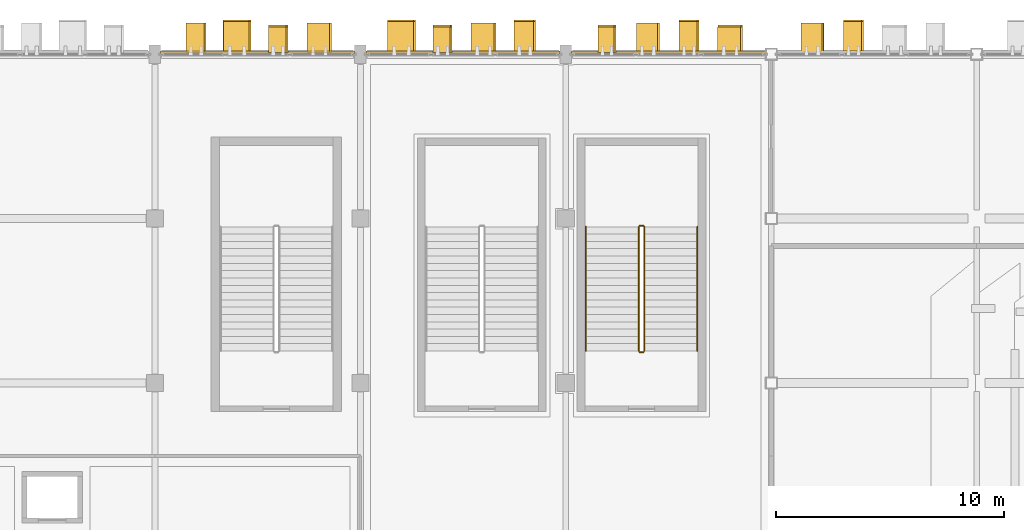
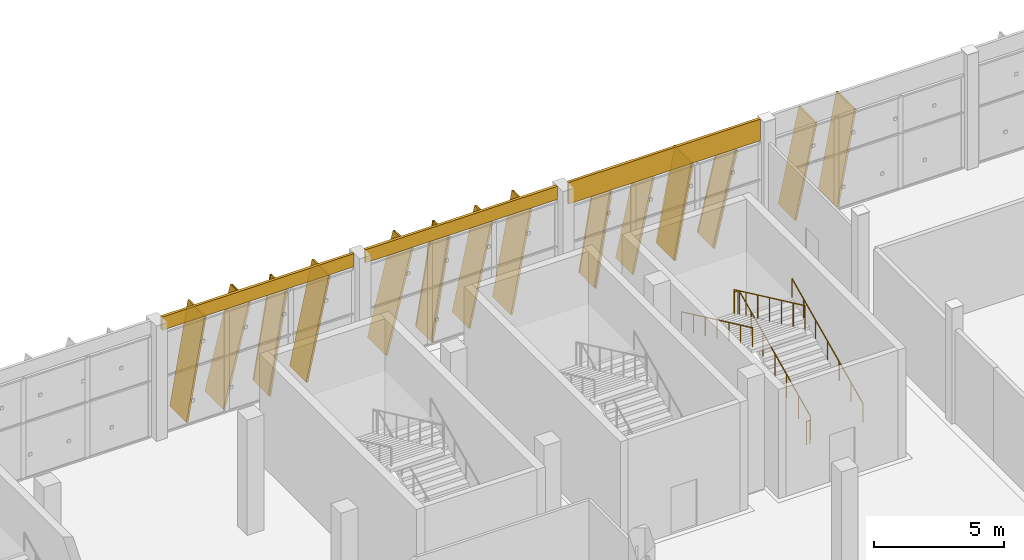
# One storey, part 186 of 189: 17 coverings, 14 shading devices, 6 railings.
"""IFC4 building model written with IfcOpenShell, lengths in metres."""

from ifc_helpers import new_model, si_unit, direction, frame, origin, origin_2d, place, context, subcontext, project, spatial, rectangle, circle, extrude, material, layer, layer_set, material_profile, profile_set, type_object, element, save


model = new_model("IFC4")

# Units and contexts
model_context = context("Model", 3, precision=1e-05, world=origin(), true_north=direction((0.0, 1.0)))
body_context = subcontext(model_context, "Body", "Model", "MODEL_VIEW")
ifc_project = project(units=[si_unit("LENGTHUNIT", "METRE"), si_unit("AREAUNIT", "SQUARE_METRE"), si_unit("VOLUMEUNIT", "CUBIC_METRE"), si_unit("PLANEANGLEUNIT", "RADIAN"), si_unit("MASSUNIT", "GRAM", prefix="KILO")], contexts=[model_context])

# Site, building, storey
site_placement = place(None, origin())
site = spatial("IfcSite", under=ifc_project, at=site_placement, CompositionType="ELEMENT")
building_placement = place(site_placement, origin())
building = spatial("IfcBuilding", under=site, at=building_placement, Name="Celestram Park Convention Centre", CompositionType="ELEMENT")
storey_placement = place(building_placement, frame((0.0, 0.0, 5.39990234375)))
storey = spatial("IfcBuildingStorey", under=building, at=storey_placement, Name="L01", CompositionType="ELEMENT", Elevation=5.39990234375)

# Coverings
ifc_material_1 = material(Name="Anodised Bronze Aluminium Spandrel Cladding", Category="aluminium")
ifc_layer_1 = layer(ifc_material_1, 0.050048828125)
ifc_layer_set_1 = layer_set([ifc_layer_1], Name="Anodised Bronze Aluminium Spandrel Cladding")
covering_type_1 = type_object("IfcCoveringType", Name="ARC-COV-CLD060", PredefinedType="CLADDING", material=ifc_layer_set_1)
for number, where, z_axis, x_axis, name in (
    (1, (130.5, 165.679931640625, 4.7841796875), (0.0, 0.0, 1.0), (1.0, 0.0, 0.0), "Bronze spandrel cladding CL-L01-065"),
    (2, (139.5, 165.679931640625, 4.7841796875), (0.0, 0.0, 1.0), (1.0, 0.0, 0.0), "Bronze spandrel cladding CL-L01-066"),
):
    element("IfcCovering", number, at=place(storey_placement, frame(where, z_axis=z_axis, x_axis=x_axis)), inside=storey, type_object=covering_type_1, Name=name, PredefinedType="CLADDING", context=body_context, shape_type="SweptSolid", body=[
        extrude(rectangle(XDim=8.50390625, YDim=0.1201171875, at=origin_2d()), origin(), (0.0, 0.0, 1.0), 0.615966796875),
    ])
covering_1_placement = place(storey_placement, frame((148.5, 165.679931640625, 4.38818359375), z_axis=(0.0, 0.0, 1.0), x_axis=(1.0, 0.0, 0.0)))
element("IfcCovering", 3, at=covering_1_placement, inside=storey, type_object=covering_type_1, Name="Bronze spandrel cladding CL-L01-067", PredefinedType="CLADDING", context=body_context, shape_type="SweptSolid", body=[
    extrude(rectangle(XDim=8.50390625, YDim=0.1201171875, at=origin_2d()), origin(), (0.0, 0.0, 1.0), 1.011962890625),
])
ifc_material_2 = material(Name="Timber-Toned Anodised Aluminium Alloy 6063-T6", Category="wood")
ifc_material_profile_1 = material_profile(ifc_material_2, rectangle(XDim=1.1201171875, YDim=0.090087890625, at=origin_2d()), Name="REED1120X90")
ifc_profile_set_1 = profile_set([ifc_material_profile_1], Name="Timber-Toned Anodised Aluminium Alloy 6063-T6")
covering_type_2 = type_object("IfcCoveringType", Name="ARC-COV-FIN1120", PredefinedType="CLADDING", material=ifc_profile_set_1)
for number, where, z_axis, x_axis, name in (
    (4, (131.02001953125, 166.239990234375, 0.03564453125), (0.159866942828, 0.0, 0.987138572132), (0.0, 1.0, 0.0), "Leaning timber-toned reed fin RFN-L01-0182"),
    (5, (138.219970703125, 166.239990234375, 0.03564453125), (0.159866942828, 0.0, 0.987138572132), (0.0, 1.0, 0.0), "Leaning timber-toned reed fin RFN-L01-0185"),
):
    element("IfcCovering", number, at=place(storey_placement, frame(where, z_axis=z_axis, x_axis=x_axis)), inside=storey, type_object=covering_type_2, Name=name, PredefinedType="CLADDING", context=body_context, shape_type="SweptSolid", body=[
        extrude(rectangle(XDim=1.1201171875, YDim=0.090087890625, at=origin_2d()), origin(), (0.0, 0.0, 1.0), 4.75390625),
    ])
covering_2_placement = place(storey_placement, frame((145.45166015625, 166.239990234375, 0.033203125), z_axis=(0.159882320906, 0.0, 0.987136081532), x_axis=(0.0, 1.0, 0.0)))
element("IfcCovering", 6, at=covering_2_placement, inside=storey, type_object=covering_type_2, Name="Leaning timber-toned reed fin RFN-L01-0188", PredefinedType="CLADDING", context=body_context, shape_type="SweptSolid", body=[
    extrude(rectangle(XDim=1.1201171875, YDim=0.090087890625, at=origin_2d()), origin(), (0.0, 0.0, 1.0), 4.358154296875),
])
covering_3_placement = place(storey_placement, frame((150.695068359375, 166.239990234375, 0.064453125), z_axis=(0.231764427654, 0.0, 0.972771941451), x_axis=(0.0, 1.0, 0.0)))
element("IfcCovering", 7, at=covering_3_placement, inside=storey, type_object=covering_type_2, Name="Leaning timber-toned reed fin RFN-L01-0191", PredefinedType="CLADDING", context=body_context, shape_type="SweptSolid", body=[
    extrude(rectangle(XDim=1.1201171875, YDim=0.090087890625, at=origin_2d()), origin(), (0.0, 0.0, 1.0), 4.35791015625),
])
ifc_material_profile_2 = material_profile(ifc_material_2, rectangle(XDim=1.280029296875, YDim=0.090087890625, at=origin_2d()), Name="REED1280X90")
ifc_profile_set_2 = profile_set([ifc_material_profile_2], Name="Timber-Toned Anodised Aluminium Alloy 6063-T6")
covering_type_3 = type_object("IfcCoveringType", Name="ARC-COV-FIN1280", PredefinedType="CLADDING", material=ifc_profile_set_2)
covering_4_placement = place(storey_placement, frame((127.3955078125, 166.320068359375, 0.039794921875), z_axis=(0.170192389469, 0.0, 0.985410853688), x_axis=(0.0, 1.0, 0.0)))
element("IfcCovering", 8, at=covering_4_placement, inside=storey, type_object=covering_type_3, Name="Leaning timber-toned reed fin RFN-L01-0180", PredefinedType="CLADDING", context=body_context, shape_type="SweptSolid", body=[
    extrude(rectangle(XDim=1.280029296875, YDim=0.090087890625, at=origin_2d()), origin(), (0.0, 0.0, 1.0), 4.75390625),
])
for number, where, z_axis, x_axis, name in (
    (9, (132.70166015625, 166.320068359375, 0.057861328125), (0.209627286664, 0.0, 0.977781366506), (0.0, 1.0, 0.0), "Leaning timber-toned reed fin RFN-L01-0183"),
    (10, (139.901611328125, 166.320068359375, 0.057861328125), (0.209627286664, 0.0, 0.977781366506), (0.0, 1.0, 0.0), "Leaning timber-toned reed fin RFN-L01-0186"),
):
    element("IfcCovering", number, at=place(storey_placement, frame(where, z_axis=z_axis, x_axis=x_axis)), inside=storey, type_object=covering_type_3, Name=name, PredefinedType="CLADDING", context=body_context, shape_type="SweptSolid", body=[
        extrude(rectangle(XDim=1.280029296875, YDim=0.090087890625, at=origin_2d()), origin(), (0.0, 0.0, 1.0), 4.754150390625),
    ])
for number, where, z_axis, x_axis, name in (
    (11, (147.143310546875, 166.320068359375, 0.053466796875), (0.20962855812, 0.0, 0.977781093916), (0.0, 1.0, 0.0), "Leaning timber-toned reed fin RFN-L01-0189"),
    (12, (154.34326171875, 166.320068359375, 0.053466796875), (0.20962855812, 0.0, 0.977781093916), (0.0, 1.0, 0.0), "Leaning timber-toned reed fin RFN-L01-0192"),
):
    element("IfcCovering", number, at=place(storey_placement, frame(where, z_axis=z_axis, x_axis=x_axis)), inside=storey, type_object=covering_type_3, Name=name, PredefinedType="CLADDING", context=body_context, shape_type="SweptSolid", body=[
        extrude(rectangle(XDim=1.280029296875, YDim=0.090087890625, at=origin_2d()), origin(), (0.0, 0.0, 1.0), 4.358154296875),
    ])
ifc_material_profile_3 = material_profile(ifc_material_2, rectangle(XDim=1.419921875, YDim=0.090087890625, at=origin_2d()), Name="REED1420X90")
ifc_profile_set_3 = profile_set([ifc_material_profile_3], Name="Timber-Toned Anodised Aluminium Alloy 6063-T6")
covering_type_4 = type_object("IfcCoveringType", Name="ARC-COV-FIN1420", PredefinedType="CLADDING", material=ifc_profile_set_3)
for number, where, z_axis, x_axis, name in (
    (13, (129.032958984375, 166.389892578125, 0.07373046875), (0.238545978049, 0.0, 0.971131204502), (0.0, 1.0, 0.0), "Leaning timber-toned reed fin RFN-L01-0181"),
    (14, (136.23291015625, 166.389892578125, 0.07373046875), (0.238545978049, 0.0, 0.971131204502), (0.0, 1.0, 0.0), "Leaning timber-toned reed fin RFN-L01-0184"),
    (15, (141.77099609375, 166.389892578125, 0.044189453125), (0.180516672672, 0.0, 0.983571924613), (0.0, 1.0, 0.0), "Leaning timber-toned reed fin RFN-L01-0187"),
):
    element("IfcCovering", number, at=place(storey_placement, frame(where, z_axis=z_axis, x_axis=x_axis)), inside=storey, type_object=covering_type_4, Name=name, PredefinedType="CLADDING", context=body_context, shape_type="SweptSolid", body=[
        extrude(rectangle(XDim=1.419921875, YDim=0.090087890625, at=origin_2d()), origin(), (0.0, 0.0, 1.0), 4.75390625),
    ])
for number, where, z_axis, x_axis, name in (
    (16, (149.006591796875, 166.389892578125, 0.041015625), (0.180556405286, 0.0, 0.983564631588), (0.0, 1.0, 0.0), "Leaning timber-toned reed fin RFN-L01-0190"),
    (17, (156.20654296875, 166.389892578125, 0.041015625), (0.180556405286, 0.0, 0.983564631588), (0.0, 1.0, 0.0), "Leaning timber-toned reed fin RFN-L01-0193"),
):
    element("IfcCovering", number, at=place(storey_placement, frame(where, z_axis=z_axis, x_axis=x_axis)), inside=storey, type_object=covering_type_4, Name=name, PredefinedType="CLADDING", context=body_context, shape_type="SweptSolid", body=[
        extrude(rectangle(XDim=1.419921875, YDim=0.090087890625, at=origin_2d()), origin(), (0.0, 0.0, 1.0), 4.35791015625),
    ])

# Shading devices
ifc_material_3 = material(Name="Anodised Bronze Aluminium Alloy 6063-T6", Category="aluminium")
ifc_material_profile_4 = material_profile(ifc_material_3, rectangle(XDim=1.280029296875, YDim=0.080078125, at=origin_2d()), Name="FIN1280X80")
ifc_profile_set_4 = profile_set([ifc_material_profile_4], Name="Anodised Bronze Aluminium Alloy 6063-T6")
shading_device_type = type_object("IfcShadingDeviceType", Name="ARC-FIN-BZ1280", PredefinedType="USERDEFINED", material=ifc_profile_set_4)
for number, where, z_axis, x_axis, name in (
    (18, (127.3955078125, 166.320068359375, 0.039794921875), (0.170192389469, 0.0, 0.985410853688), (0.0, 1.0, 0.0), "Expressive solar fin FN-L01-0180"),
    (19, (129.032958984375, 166.389892578125, 0.07373046875), (0.238545978049, 0.0, 0.971131204502), (0.0, 1.0, 0.0), "Expressive solar fin FN-L01-0181"),
    (20, (131.02001953125, 166.239990234375, 0.03564453125), (0.159866942828, 0.0, 0.987138572132), (0.0, 1.0, 0.0), "Expressive solar fin FN-L01-0182"),
):
    element("IfcShadingDevice", number, at=place(storey_placement, frame(where, z_axis=z_axis, x_axis=x_axis)), inside=storey, type_object=shading_device_type, Name=name, ObjectType="SOLAR_FIN", PredefinedType="USERDEFINED", context=body_context, shape_type="SweptSolid", body=[
        extrude(rectangle(XDim=1.280029296875, YDim=0.080078125, at=origin_2d()), origin(), (0.0, 0.0, 1.0), 4.75390625),
    ])
shading_device_1_placement = place(storey_placement, frame((132.70166015625, 166.320068359375, 0.057861328125), z_axis=(0.209627286664, 0.0, 0.977781366506), x_axis=(0.0, 1.0, 0.0)))
element("IfcShadingDevice", 21, at=shading_device_1_placement, inside=storey, type_object=shading_device_type, Name="Expressive solar fin FN-L01-0183", ObjectType="SOLAR_FIN", PredefinedType="USERDEFINED", context=body_context, shape_type="SweptSolid", body=[
    extrude(rectangle(XDim=1.280029296875, YDim=0.080078125, at=origin_2d()), origin(), (0.0, 0.0, 1.0), 4.754150390625),
])
for number, where, z_axis, x_axis, name in (
    (22, (136.23291015625, 166.389892578125, 0.07373046875), (0.238545978049, 0.0, 0.971131204502), (0.0, 1.0, 0.0), "Expressive solar fin FN-L01-0184"),
    (23, (138.219970703125, 166.239990234375, 0.03564453125), (0.159866942828, 0.0, 0.987138572132), (0.0, 1.0, 0.0), "Expressive solar fin FN-L01-0185"),
):
    element("IfcShadingDevice", number, at=place(storey_placement, frame(where, z_axis=z_axis, x_axis=x_axis)), inside=storey, type_object=shading_device_type, Name=name, ObjectType="SOLAR_FIN", PredefinedType="USERDEFINED", context=body_context, shape_type="SweptSolid", body=[
        extrude(rectangle(XDim=1.280029296875, YDim=0.080078125, at=origin_2d()), origin(), (0.0, 0.0, 1.0), 4.75390625),
    ])
shading_device_2_placement = place(storey_placement, frame((139.901611328125, 166.320068359375, 0.057861328125), z_axis=(0.209627286664, 0.0, 0.977781366506), x_axis=(0.0, 1.0, 0.0)))
element("IfcShadingDevice", 24, at=shading_device_2_placement, inside=storey, type_object=shading_device_type, Name="Expressive solar fin FN-L01-0186", ObjectType="SOLAR_FIN", PredefinedType="USERDEFINED", context=body_context, shape_type="SweptSolid", body=[
    extrude(rectangle(XDim=1.280029296875, YDim=0.080078125, at=origin_2d()), origin(), (0.0, 0.0, 1.0), 4.754150390625),
])
shading_device_3_placement = place(storey_placement, frame((141.77099609375, 166.389892578125, 0.044189453125), z_axis=(0.180516672672, 0.0, 0.983571924613), x_axis=(0.0, 1.0, 0.0)))
element("IfcShadingDevice", 25, at=shading_device_3_placement, inside=storey, type_object=shading_device_type, Name="Expressive solar fin FN-L01-0187", ObjectType="SOLAR_FIN", PredefinedType="USERDEFINED", context=body_context, shape_type="SweptSolid", body=[
    extrude(rectangle(XDim=1.280029296875, YDim=0.080078125, at=origin_2d()), origin(), (0.0, 0.0, 1.0), 4.75390625),
])
for number, where, z_axis, x_axis, name in (
    (26, (145.45166015625, 166.239990234375, 0.033203125), (0.159882320906, 0.0, 0.987136081532), (0.0, 1.0, 0.0), "Expressive solar fin FN-L01-0188"),
    (27, (147.143310546875, 166.320068359375, 0.053466796875), (0.20962855812, 0.0, 0.977781093916), (0.0, 1.0, 0.0), "Expressive solar fin FN-L01-0189"),
):
    element("IfcShadingDevice", number, at=place(storey_placement, frame(where, z_axis=z_axis, x_axis=x_axis)), inside=storey, type_object=shading_device_type, Name=name, ObjectType="SOLAR_FIN", PredefinedType="USERDEFINED", context=body_context, shape_type="SweptSolid", body=[
        extrude(rectangle(XDim=1.280029296875, YDim=0.080078125, at=origin_2d()), origin(), (0.0, 0.0, 1.0), 4.358154296875),
    ])
for number, where, z_axis, x_axis, name in (
    (28, (149.006591796875, 166.389892578125, 0.041015625), (0.180556405286, 0.0, 0.983564631588), (0.0, 1.0, 0.0), "Expressive solar fin FN-L01-0190"),
    (29, (150.695068359375, 166.239990234375, 0.064453125), (0.231764427654, 0.0, 0.972771941451), (0.0, 1.0, 0.0), "Expressive solar fin FN-L01-0191"),
):
    element("IfcShadingDevice", number, at=place(storey_placement, frame(where, z_axis=z_axis, x_axis=x_axis)), inside=storey, type_object=shading_device_type, Name=name, ObjectType="SOLAR_FIN", PredefinedType="USERDEFINED", context=body_context, shape_type="SweptSolid", body=[
        extrude(rectangle(XDim=1.280029296875, YDim=0.080078125, at=origin_2d()), origin(), (0.0, 0.0, 1.0), 4.35791015625),
    ])
shading_device_4_placement = place(storey_placement, frame((154.34326171875, 166.320068359375, 0.053466796875), z_axis=(0.20962855812, 0.0, 0.977781093916), x_axis=(0.0, 1.0, 0.0)))
element("IfcShadingDevice", 30, at=shading_device_4_placement, inside=storey, type_object=shading_device_type, Name="Expressive solar fin FN-L01-0192", ObjectType="SOLAR_FIN", PredefinedType="USERDEFINED", context=body_context, shape_type="SweptSolid", body=[
    extrude(rectangle(XDim=1.280029296875, YDim=0.080078125, at=origin_2d()), origin(), (0.0, 0.0, 1.0), 4.358154296875),
])
shading_device_5_placement = place(storey_placement, frame((156.20654296875, 166.389892578125, 0.041015625), z_axis=(0.180556405286, 0.0, 0.983564631588), x_axis=(0.0, 1.0, 0.0)))
element("IfcShadingDevice", 31, at=shading_device_5_placement, inside=storey, type_object=shading_device_type, Name="Expressive solar fin FN-L01-0193", ObjectType="SOLAR_FIN", PredefinedType="USERDEFINED", context=body_context, shape_type="SweptSolid", body=[
    extrude(rectangle(XDim=1.280029296875, YDim=0.080078125, at=origin_2d()), origin(), (0.0, 0.0, 1.0), 4.35791015625),
])

# Railings
ifc_material_4 = material(Name="Stainless Steel AISI 316L & Laminated Glass", Category="steel")
ifc_layer_2 = layer(ifc_material_4, 0.06005859375)
ifc_layer_set_2 = layer_set([ifc_layer_2], Name="Stainless Steel AISI 316L & Laminated Glass")
railing_type_1 = type_object("IfcRailingType", Name="ARC-RL-GRD1120", PredefinedType="GUARDRAIL", material=ifc_layer_set_2)
railing_1_placement = place(storey_placement, frame((147.43603515625, 152.60009765625, 0.150146484375)))
element("IfcRailing", 32, at=railing_1_placement, inside=storey, type_object=railing_type_1, Name="L01 ST-09 stair guard 1", PredefinedType="GUARDRAIL", context=body_context, shape_type="SweptSolid", body=[
    extrude(circle(Radius=0.02392578125, at=origin_2d()), frame((0.0, 0.0, 1.09619140625), z_axis=(0.0, 0.90545405566, 0.424444287379), x_axis=(-1.0, 0.0, 0.0)), (0.0, 0.0, 1.0), 6.008056640625),
    extrude(circle(Radius=0.02099609375, at=origin_2d()), origin(), (0.0, 0.0, 1.0), 1.072021484375),
    extrude(circle(Radius=0.02099609375, at=origin_2d()), frame((0.0, 0.90673828125, 0.425048828125)), (0.0, 0.0, 1.0), 1.072021484375),
    extrude(circle(Radius=0.02099609375, at=origin_2d()), frame((0.0, 1.813232421875, 0.85009765625)), (0.0, 0.0, 1.0), 1.072021484375),
    extrude(circle(Radius=0.02099609375, at=origin_2d()), frame((0.0, 2.719970703125, 1.27490234375)), (0.0, 0.0, 1.0), 1.072021484375),
    extrude(circle(Radius=0.02099609375, at=origin_2d()), frame((0.0, 3.626708984375, 1.699951171875)), (0.0, 0.0, 1.0), 1.072021484375),
    extrude(circle(Radius=0.02099609375, at=origin_2d()), frame((0.0, 4.533203125, 2.125)), (0.0, 0.0, 1.0), 1.072021484375),
    extrude(circle(Radius=0.02099609375, at=origin_2d()), frame((0.0, 5.43994140625, 2.550048828125)), (0.0, 0.0, 1.0), 1.072021484375),
])
railing_2_placement = place(storey_placement, frame((147.39990234375, 158.090087890625, 2.7001953125)))
element("IfcRailing", 33, at=railing_2_placement, inside=storey, type_object=railing_type_1, Name="L01 ST-09 stair guard 2", PredefinedType="GUARDRAIL", context=body_context, shape_type="SweptSolid", body=[
    extrude(circle(Radius=0.02392578125, at=origin_2d()), frame((0.0, 0.0, 1.09619140625), z_axis=(-1.0, 0.0, 0.0), x_axis=(0.0, -1.0, 0.0)), (0.0, 0.0, 1.0), 0.159912109375),
    extrude(circle(Radius=0.02099609375, at=origin_2d()), origin(), (0.0, 0.0, 1.0), 1.072021484375),
    extrude(circle(Radius=0.02099609375, at=origin_2d()), frame((-0.159912109375, 0.0, 0.0)), (0.0, 0.0, 1.0), 1.072021484375),
])
railing_3_placement = place(storey_placement, frame((147.2041015625, 158.0400390625, 2.85009765625)))
element("IfcRailing", 34, at=railing_3_placement, inside=storey, type_object=railing_type_1, Name="L01 ST-09 stair guard 3", PredefinedType="GUARDRAIL", context=body_context, shape_type="SweptSolid", body=[
    extrude(circle(Radius=0.02392578125, at=origin_2d()), frame((0.0, 0.0, 1.09619140625), z_axis=(0.0, -0.90545405566, 0.424444287379), x_axis=(1.0, 0.0, 0.0)), (0.0, 0.0, 1.0), 6.008056640625),
    extrude(circle(Radius=0.02099609375, at=origin_2d()), origin(), (0.0, 0.0, 1.0), 1.072021484375),
    extrude(circle(Radius=0.02099609375, at=origin_2d()), frame((0.0, -0.90673828125, 0.425048828125)), (0.0, 0.0, 1.0), 1.072021484375),
    extrude(circle(Radius=0.02099609375, at=origin_2d()), frame((0.0, -1.813232421875, 0.85009765625)), (0.0, 0.0, 1.0), 1.072021484375),
    extrude(circle(Radius=0.02099609375, at=origin_2d()), frame((0.0, -2.719970703125, 1.27490234375)), (0.0, 0.0, 1.0), 1.072021484375),
    extrude(circle(Radius=0.02099609375, at=origin_2d()), frame((0.0, -3.626708984375, 1.699951171875)), (0.0, 0.0, 1.0), 1.072021484375),
    extrude(circle(Radius=0.02099609375, at=origin_2d()), frame((0.0, -4.533203125, 2.125)), (0.0, 0.0, 1.0), 1.072021484375),
    extrude(circle(Radius=0.02099609375, at=origin_2d()), frame((0.0, -5.43994140625, 2.550048828125)), (0.0, 0.0, 1.0), 1.072021484375),
])
railing_4_placement = place(storey_placement, frame((147.39990234375, 152.550048828125, 0.0)))
element("IfcRailing", 35, at=railing_4_placement, inside=storey, type_object=railing_type_1, Name="L01 ST-09 stair guard 4", PredefinedType="GUARDRAIL", context=body_context, shape_type="SweptSolid", body=[
    extrude(circle(Radius=0.02392578125, at=origin_2d()), frame((0.0, 0.0, 1.09619140625), z_axis=(-1.0, 0.0, 0.0), x_axis=(0.0, -1.0, 0.0)), (0.0, 0.0, 1.0), 0.159912109375),
    extrude(circle(Radius=0.02099609375, at=origin_2d()), origin(), (0.0, 0.0, 1.0), 1.072021484375),
    extrude(circle(Radius=0.02099609375, at=origin_2d()), frame((-0.159912109375, 0.0, 0.0)), (0.0, 0.0, 1.0), 1.072021484375),
])
ifc_material_5 = material(Name="Brushed Stainless Steel AISI 304", Category="steel")
ifc_layer_3 = layer(ifc_material_5, 0.048095703125)
ifc_layer_set_3 = layer_set([ifc_layer_3], Name="Brushed Stainless Steel AISI 304")
railing_type_2 = type_object("IfcRailingType", Name="ARC-RL-HND915", PredefinedType="HANDRAIL", material=ifc_layer_set_3)
railing_5_placement = place(storey_placement, frame((149.763916015625, 152.60009765625, 0.150146484375)))
element("IfcRailing", 36, at=railing_5_placement, inside=storey, type_object=railing_type_2, Name="L01 ST-09 stair handrail 1", PredefinedType="HANDRAIL", context=body_context, shape_type="SweptSolid", body=[
    extrude(circle(Radius=0.02392578125, at=origin_2d()), frame((0.0, 0.0, 0.8759765625), z_axis=(0.0, 0.90545405566, 0.424444287379), x_axis=(-1.0, 0.0, 0.0)), (0.0, 0.0, 1.0), 6.008056640625),
    extrude(circle(Radius=0.02099609375, at=origin_2d()), origin(), (0.0, 0.0, 1.0), 0.851806640625),
    extrude(circle(Radius=0.02099609375, at=origin_2d()), frame((0.0, 0.90673828125, 0.425048828125)), (0.0, 0.0, 1.0), 0.851806640625),
    extrude(circle(Radius=0.02099609375, at=origin_2d()), frame((0.0, 1.813232421875, 0.85009765625)), (0.0, 0.0, 1.0), 0.851806640625),
    extrude(circle(Radius=0.02099609375, at=origin_2d()), frame((0.0, 2.719970703125, 1.27490234375)), (0.0, 0.0, 1.0), 0.851806640625),
    extrude(circle(Radius=0.02099609375, at=origin_2d()), frame((0.0, 3.626708984375, 1.699951171875)), (0.0, 0.0, 1.0), 0.851806640625),
    extrude(circle(Radius=0.02099609375, at=origin_2d()), frame((0.0, 4.533203125, 2.125)), (0.0, 0.0, 1.0), 0.851806640625),
    extrude(circle(Radius=0.02099609375, at=origin_2d()), frame((0.0, 5.43994140625, 2.550048828125)), (0.0, 0.0, 1.0), 0.851806640625),
])
railing_6_placement = place(storey_placement, frame((144.8759765625, 158.0400390625, 2.85009765625)))
element("IfcRailing", 37, at=railing_6_placement, inside=storey, type_object=railing_type_2, Name="L01 ST-09 stair handrail 2", PredefinedType="HANDRAIL", context=body_context, shape_type="SweptSolid", body=[
    extrude(circle(Radius=0.02392578125, at=origin_2d()), frame((0.0, 0.0, 0.8759765625), z_axis=(0.0, -0.90545405566, 0.424444287379), x_axis=(1.0, 0.0, 0.0)), (0.0, 0.0, 1.0), 6.008056640625),
    extrude(circle(Radius=0.02099609375, at=origin_2d()), origin(), (0.0, 0.0, 1.0), 0.851806640625),
    extrude(circle(Radius=0.02099609375, at=origin_2d()), frame((0.0, -0.90673828125, 0.425048828125)), (0.0, 0.0, 1.0), 0.851806640625),
    extrude(circle(Radius=0.02099609375, at=origin_2d()), frame((0.0, -1.813232421875, 0.85009765625)), (0.0, 0.0, 1.0), 0.851806640625),
    extrude(circle(Radius=0.02099609375, at=origin_2d()), frame((0.0, -2.719970703125, 1.27490234375)), (0.0, 0.0, 1.0), 0.851806640625),
    extrude(circle(Radius=0.02099609375, at=origin_2d()), frame((0.0, -3.626708984375, 1.699951171875)), (0.0, 0.0, 1.0), 0.851806640625),
    extrude(circle(Radius=0.02099609375, at=origin_2d()), frame((0.0, -4.533203125, 2.125)), (0.0, 0.0, 1.0), 0.851806640625),
    extrude(circle(Radius=0.02099609375, at=origin_2d()), frame((0.0, -5.43994140625, 2.550048828125)), (0.0, 0.0, 1.0), 0.851806640625),
])

save(model, "model.ifc")
